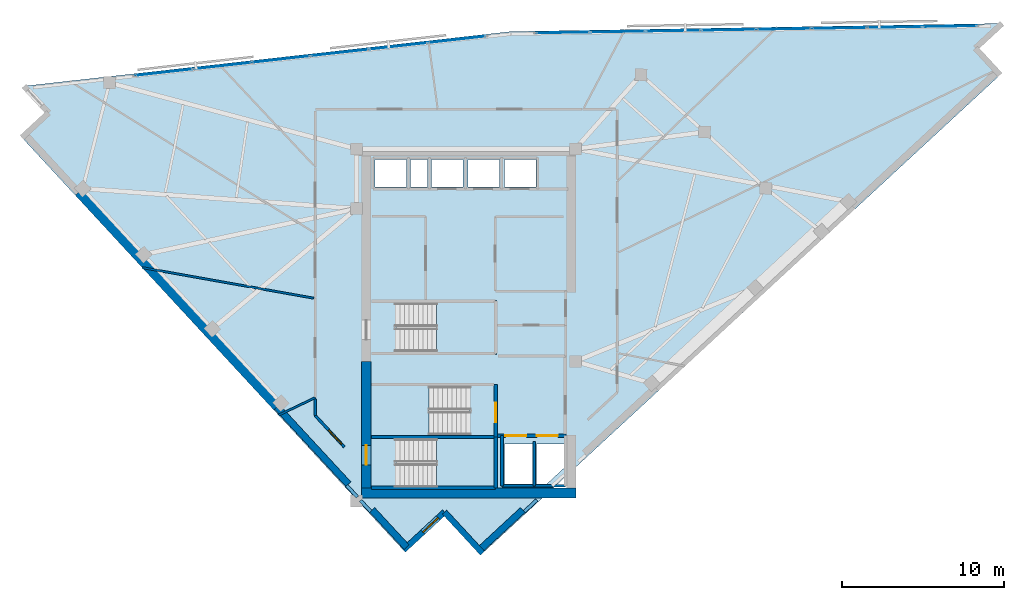
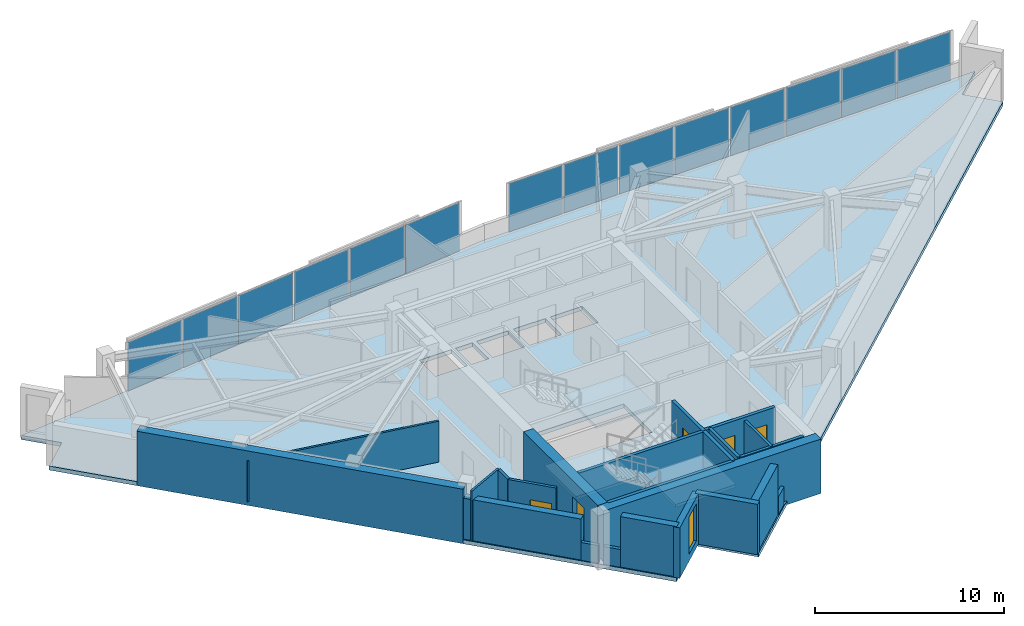
# One storey, part 7 of 11: 23 walls, 14 plates, 5 doors, 4 slabs, 1 window, 6 openings, 5 elements without a shape of their own.
"""IFC4 building model written with IfcOpenShell, lengths in metres."""

from ifc_helpers import new_model, si_unit, direction, frame, frame_2d, origin, origin_2d, place, context, subcontext, project, spatial, polyline, rectangle, outline, extrude, material, layer, layer_set, type_object, element, fill, aggregate, save


model = new_model("IFC4")

# Units and contexts
model_context = context("Model", 3, precision=1e-05, world=origin(), true_north=direction((0.0, 1.0)))
body_context = subcontext(model_context, "Body", "Model", "MODEL_VIEW")
ifc_project = project(units=[si_unit("LENGTHUNIT", "METRE"), si_unit("AREAUNIT", "SQUARE_METRE"), si_unit("VOLUMEUNIT", "CUBIC_METRE"), si_unit("PLANEANGLEUNIT", "RADIAN"), si_unit("MASSUNIT", "GRAM", prefix="KILO")], contexts=[model_context])

# Site, building, storey
site_placement = place(None, origin())
site = spatial("IfcSite", under=ifc_project, at=site_placement, CompositionType="ELEMENT")
building_placement = place(site_placement, origin())
building = spatial("IfcBuilding", under=site, at=building_placement, Name="Narakoshi Arena Tower", CompositionType="ELEMENT")
storey_placement = place(building_placement, frame((0.0, 0.0, 285.3798828125)))
storey = spatial("IfcBuildingStorey", under=building, at=storey_placement, Name="L78", CompositionType="ELEMENT", Elevation=285.3798828125)

# Curtain wall, plates
ifc_material_1 = material(Name="Anodised bronze aluminium 6063-T6", Category="aluminium")
curtain_wall_type = type_object("IfcCurtainWallType", Name="CW-HYP-HIGH", PredefinedType="NOTDEFINED", material=ifc_material_1)
curtain_wall_1_placement = place(storey_placement, origin())
curtain_wall_1 = element("IfcCurtainWall", 1, at=curtain_wall_1_placement, inside=storey, type_object=curtain_wall_type, Name="L78 Folded Hypotenuse Curtain Wall 1-1", PredefinedType="NOTDEFINED")
ifc_material_2 = material(Name="Bronze-tinted low-E laminated glass", Category="glass")
ifc_layer_1 = layer(ifc_material_2, 0.0439453125)
ifc_layer_set_1 = layer_set([ifc_layer_1], Name="Bronze-tinted low-E laminated glass")
plate_type = type_object("IfcPlateType", Name="PLT-GLZ-44", PredefinedType="CURTAIN_PANEL", material=ifc_layer_set_1)
plate_1_placement = place(storey_placement, frame((108.725341796875, 64.08984375, 0.065185546875), z_axis=(0.0, 0.0, 1.0), x_axis=(-0.999864804777, -0.016442997569, 0.0)))
plate_1 = element("IfcPlate", 2, at=plate_1_placement, type_object=plate_type, Name="CW-03 panel 1.1", PredefinedType="CURTAIN_PANEL", context=body_context, shape_type="SweptSolid", body=[
    extrude(rectangle(XDim=3.307861328125, YDim=0.0439453125, at=origin_2d()), origin(), (0.0, 0.0, 1.0), 3.1298828125),
])
plate_2_placement = place(storey_placement, frame((105.31787109375, 64.033935546875, 0.065185546875), z_axis=(0.0, 0.0, 1.0), x_axis=(-0.999864804777, -0.016442997569, 0.0)))
plate_2 = element("IfcPlate", 3, at=plate_2_placement, type_object=plate_type, Name="CW-03 panel 2.1", PredefinedType="CURTAIN_PANEL", context=body_context, shape_type="SweptSolid", body=[
    extrude(rectangle(XDim=3.34765625, YDim=0.0439453125, at=origin_2d()), origin(), (0.0, 0.0, 1.0), 3.1298828125),
])
plate_3_placement = place(storey_placement, frame((101.890625, 63.9775390625, 0.065185546875), z_axis=(0.0, 0.0, 1.0), x_axis=(-0.999864804777, -0.016442997569, 0.0)))
plate_3 = element("IfcPlate", 4, at=plate_3_placement, type_object=plate_type, Name="CW-03 panel 3.1", PredefinedType="CURTAIN_PANEL", context=body_context, shape_type="SweptSolid", body=[
    extrude(rectangle(XDim=3.34765625, YDim=0.0439453125, at=origin_2d()), origin(), (0.0, 0.0, 1.0), 3.1298828125),
])
plate_4_placement = place(storey_placement, frame((98.46337890625, 63.921142578125, 0.065185546875), z_axis=(0.0, 0.0, 1.0), x_axis=(-0.999864804777, -0.016442997569, 0.0)))
plate_4 = element("IfcPlate", 5, at=plate_4_placement, type_object=plate_type, Name="CW-03 panel 4.1", PredefinedType="CURTAIN_PANEL", context=body_context, shape_type="SweptSolid", body=[
    extrude(rectangle(XDim=3.34765625, YDim=0.0439453125, at=origin_2d()), origin(), (0.0, 0.0, 1.0), 3.1298828125),
])
plate_5_placement = place(storey_placement, frame((95.0361328125, 63.86474609375, 0.065185546875), z_axis=(0.0, 0.0, 1.0), x_axis=(-0.999864804777, -0.016442997569, 0.0)))
plate_5 = element("IfcPlate", 6, at=plate_5_placement, type_object=plate_type, Name="CW-03 panel 5.1", PredefinedType="CURTAIN_PANEL", context=body_context, shape_type="SweptSolid", body=[
    extrude(rectangle(XDim=3.34765625, YDim=0.0439453125, at=origin_2d()), origin(), (0.0, 0.0, 1.0), 3.1298828125),
])
plate_6_placement = place(storey_placement, frame((91.60888671875, 63.808349609375, 0.065185546875), z_axis=(0.0, 0.0, 1.0), x_axis=(-0.999864804777, -0.016442997569, 0.0)))
plate_6 = element("IfcPlate", 7, at=plate_6_placement, type_object=plate_type, Name="CW-03 panel 6.1", PredefinedType="CURTAIN_PANEL", context=body_context, shape_type="SweptSolid", body=[
    extrude(rectangle(XDim=3.34765625, YDim=0.0439453125, at=origin_2d()), origin(), (0.0, 0.0, 1.0), 3.1298828125),
])
plate_7_placement = place(storey_placement, frame((88.181640625, 63.751953125, 0.065185546875), z_axis=(0.0, 0.0, 1.0), x_axis=(-0.999864804777, -0.016442997569, 0.0)))
plate_7 = element("IfcPlate", 8, at=plate_7_placement, type_object=plate_type, Name="CW-03 panel 7.1", PredefinedType="CURTAIN_PANEL", context=body_context, shape_type="SweptSolid", body=[
    extrude(rectangle(XDim=3.34765625, YDim=0.0439453125, at=origin_2d()), origin(), (0.0, 0.0, 1.0), 3.1298828125),
])
plate_8_placement = place(storey_placement, frame((84.774169921875, 63.696044921875, 0.065185546875), z_axis=(0.0, 0.0, 1.0), x_axis=(-0.999864804777, -0.016442997569, 0.0)))
plate_8 = element("IfcPlate", 9, at=plate_8_placement, type_object=plate_type, Name="CW-03 panel 8.1", PredefinedType="CURTAIN_PANEL", context=body_context, shape_type="SweptSolid", body=[
    extrude(rectangle(XDim=3.307861328125, YDim=0.0439453125, at=origin_2d()), origin(), (0.0, 0.0, 1.0), 3.1298828125),
])
aggregate(curtain_wall_1, [plate_1, plate_2, plate_3, plate_4, plate_5, plate_6, plate_7, plate_8])

curtain_wall_2_placement = place(storey_placement, origin())
curtain_wall_2 = element("IfcCurtainWall", 10, at=curtain_wall_2_placement, inside=storey, type_object=curtain_wall_type, Name="L78 Folded Hypotenuse Curtain Wall 2-1", PredefinedType="NOTDEFINED")
plate_9_placement = place(storey_placement, frame((78.222900390625, 63.2705078125, 0.065185546875), z_axis=(0.0, 0.0, 1.0), x_axis=(-0.9937760415, -0.111396496086, 0.0)))
plate_9 = element("IfcPlate", 11, at=plate_9_placement, type_object=plate_type, Name="CW-03 panel 1.1", PredefinedType="CURTAIN_PANEL", context=body_context, shape_type="SweptSolid", body=[
    extrude(rectangle(XDim=3.540283203125, YDim=0.0439453125, at=origin_2d()), origin(), (0.0, 0.0, 1.0), 3.1298828125),
])
plate_10_placement = place(storey_placement, frame((74.605224609375, 62.864990234375, 0.065185546875), z_axis=(0.0, 0.0, 1.0), x_axis=(-0.9937760415, -0.111396496086, 0.0)))
plate_10 = element("IfcPlate", 12, at=plate_10_placement, type_object=plate_type, Name="CW-03 panel 2.1", PredefinedType="CURTAIN_PANEL", context=body_context, shape_type="SweptSolid", body=[
    extrude(rectangle(XDim=3.580322265625, YDim=0.0439453125, at=origin_2d()), origin(), (0.0, 0.0, 1.0), 3.1298828125),
])
plate_11_placement = place(storey_placement, frame((70.967529296875, 62.45703125, 0.065185546875), z_axis=(0.0, 0.0, 1.0), x_axis=(-0.9937760415, -0.111396496086, 0.0)))
plate_11 = element("IfcPlate", 13, at=plate_11_placement, type_object=plate_type, Name="CW-03 panel 3.1", PredefinedType="CURTAIN_PANEL", context=body_context, shape_type="SweptSolid", body=[
    extrude(rectangle(XDim=3.580322265625, YDim=0.0439453125, at=origin_2d()), origin(), (0.0, 0.0, 1.0), 3.1298828125),
])
plate_12_placement = place(storey_placement, frame((67.330078125, 62.04931640625, 0.065185546875), z_axis=(0.0, 0.0, 1.0), x_axis=(-0.9937760415, -0.111396496086, 0.0)))
plate_12 = element("IfcPlate", 14, at=plate_12_placement, type_object=plate_type, Name="CW-03 panel 4.1", PredefinedType="CURTAIN_PANEL", context=body_context, shape_type="SweptSolid", body=[
    extrude(rectangle(XDim=3.580322265625, YDim=0.0439453125, at=origin_2d()), origin(), (0.0, 0.0, 1.0), 3.1298828125),
])
plate_13_placement = place(storey_placement, frame((63.6923828125, 61.6416015625, 0.065185546875), z_axis=(0.0, 0.0, 1.0), x_axis=(-0.9937760415, -0.111396496086, 0.0)))
plate_13 = element("IfcPlate", 15, at=plate_13_placement, type_object=plate_type, Name="CW-03 panel 5.1", PredefinedType="CURTAIN_PANEL", context=body_context, shape_type="SweptSolid", body=[
    extrude(rectangle(XDim=3.580322265625, YDim=0.0439453125, at=origin_2d()), origin(), (0.0, 0.0, 1.0), 3.1298828125),
])
plate_14_placement = place(storey_placement, frame((60.07470703125, 61.236083984375, 0.065185546875), z_axis=(0.0, 0.0, 1.0), x_axis=(-0.9937760415, -0.111396496086, 0.0)))
plate_14 = element("IfcPlate", 16, at=plate_14_placement, type_object=plate_type, Name="CW-03 panel 6.1", PredefinedType="CURTAIN_PANEL", context=body_context, shape_type="SweptSolid", body=[
    extrude(rectangle(XDim=3.540283203125, YDim=0.0439453125, at=origin_2d()), origin(), (0.0, 0.0, 1.0), 3.1298828125),
])
aggregate(curtain_wall_2, [plate_9, plate_10, plate_11, plate_12, plate_13, plate_14])

# Stair, slab
ifc_material_3 = material(Name="Concrete C45/55", Category="concrete")
stair_type = type_object("IfcStairType", Name="STR-CORE-352", PredefinedType="TWO_STRAIGHT_RUN_STAIR", material=ifc_material_3)
stair_1_placement = place(storey_placement, origin())
stair_1 = element("IfcStair", 17, at=stair_1_placement, inside=storey, type_object=stair_type, Name="L78 Core Escape Stair ST1", PredefinedType="TWO_STRAIGHT_RUN_STAIR")
ifc_layer_2 = layer(ifc_material_3, 0.18994140625)
ifc_layer_set_2 = layer_set([ifc_layer_2], Name="Concrete C45/55")
slab_type_1 = type_object("IfcSlabType", Name="SLB-LND-190", PredefinedType="LANDING", material=ifc_layer_set_2)
slab_1_placement = place(storey_placement, frame((0.0, 0.0, 1.570068359375)))
slab_1 = element("IfcSlab", 18, at=slab_1_placement, type_object=slab_type_1, Name="ST1 landing 1", PredefinedType="LANDING", context=body_context, shape_type="SweptSolid", body=[
    extrude(outline(polyline([(76.965087890625, 35.3701171875), (80.679931640625, 35.3701171875), (80.679931640625, 38.72998046875), (76.965087890625, 38.72998046875), (76.965087890625, 35.3701171875)])), origin(), (0.0, 0.0, 1.0), 0.18994140625),
])
aggregate(stair_1, [slab_1])

stair_2_placement = place(storey_placement, origin())
stair_2 = element("IfcStair", 19, at=stair_2_placement, inside=storey, type_object=stair_type, Name="L78 Core Escape Stair ST2", PredefinedType="TWO_STRAIGHT_RUN_STAIR")
slab_2_placement = place(storey_placement, frame((0.0, 0.0, 1.570068359375)))
slab_2 = element("IfcSlab", 20, at=slab_2_placement, type_object=slab_type_1, Name="ST2 landing 1", PredefinedType="LANDING", context=body_context, shape_type="SweptSolid", body=[
    extrude(outline(polyline([(72.77001953125, 38.6201171875), (76.485107421875, 38.6201171875), (76.485107421875, 41.97998046875), (72.77001953125, 41.97998046875), (72.77001953125, 38.6201171875)])), origin(), (0.0, 0.0, 1.0), 0.18994140625),
])
aggregate(stair_2, [slab_2])

stair_3_placement = place(storey_placement, origin())
stair_3 = element("IfcStair", 21, at=stair_3_placement, inside=storey, type_object=stair_type, Name="L78 Core Escape Stair ST3", PredefinedType="TWO_STRAIGHT_RUN_STAIR")
slab_3_placement = place(storey_placement, frame((0.0, 0.0, 1.570068359375)))
slab_3 = element("IfcSlab", 22, at=slab_3_placement, type_object=slab_type_1, Name="ST3 landing 1", PredefinedType="LANDING", context=body_context, shape_type="SweptSolid", body=[
    extrude(outline(polyline([(76.965087890625, 43.77001953125), (80.679931640625, 43.77001953125), (80.679931640625, 47.1298828125), (76.965087890625, 47.1298828125), (76.965087890625, 43.77001953125)])), origin(), (0.0, 0.0, 1.0), 0.18994140625),
])
aggregate(stair_3, [slab_3])

# Slab
ifc_material_4 = material(Name="Concrete C50/60", Category="concrete")
ifc_layer_3 = layer(ifc_material_4, 0.260009765625)
ifc_layer_set_3 = layer_set([ifc_layer_3], Name="Concrete C50/60")
slab_type_2 = type_object("IfcSlabType", Name="SLB-SKY-260", PredefinedType="FLOOR", material=ifc_layer_set_3)
slab_4_placement = place(storey_placement, frame((0.0, 0.0, -0.259765625)))
element("IfcSlab", 23, at=slab_4_placement, inside=storey, type_object=slab_type_2, Name="L78 Structural Floor Slab", PredefinedType="FLOOR", context=body_context, shape_type="SweptSolid", body=[
    extrude(outline(polyline([(79.8056640625, 31.47216796875), (111.83154296875, 61.076416015625), (110.30078125, 62.732421875), (111.956787109375, 64.26318359375), (81.538818359375, 63.7626953125), (51.42333984375, 60.38720703125), (52.9541015625, 58.731201171875), (51.298095703125, 57.200439453125), (74.9033203125, 31.664794921875), (77.45068359375, 34.01953125), (79.8056640625, 31.47216796875)]), holes=[polyline([(80.5, 35.550048828125), (74.47998046875, 35.550048828125), (74.47998046875, 38.550048828125), (80.5, 38.550048828125), (80.5, 35.550048828125)]), polyline([(82.89990234375, 35.75), (81.14990234375, 35.75), (81.14990234375, 38.25), (82.89990234375, 38.25), (82.89990234375, 35.75)]), polyline([(84.89990234375, 36.794189453125), (83.7705078125, 35.75), (83.14990234375, 35.75), (83.14990234375, 38.25), (84.89990234375, 38.25), (84.89990234375, 36.794189453125)]), polyline([(72.949951171875, 38.800048828125), (72.949951171875, 41.800048828125), (78.969970703125, 41.800048828125), (78.969970703125, 38.800048828125), (72.949951171875, 38.800048828125)]), polyline([(74.47998046875, 43.949951171875), (74.47998046875, 46.949951171875), (80.5, 46.949951171875), (80.5, 43.949951171875), (74.47998046875, 43.949951171875)]), polyline([(75.10009765625, 54.14990234375), (73.14990234375, 54.14990234375), (73.14990234375, 55.85009765625), (75.10009765625, 55.85009765625), (75.10009765625, 54.14990234375)]), polyline([(76.39990234375, 54.14990234375), (75.35009765625, 54.14990234375), (75.35009765625, 55.85009765625), (76.39990234375, 55.85009765625), (76.39990234375, 54.14990234375)]), polyline([(78.60009765625, 54.14990234375), (76.64990234375, 54.14990234375), (76.64990234375, 55.85009765625), (78.60009765625, 55.85009765625), (78.60009765625, 54.14990234375)]), polyline([(78.89990234375, 54.14990234375), (78.89990234375, 55.85009765625), (80.85009765625, 55.85009765625), (80.85009765625, 54.14990234375), (78.89990234375, 54.14990234375)]), polyline([(81.14990234375, 54.14990234375), (81.14990234375, 55.85009765625), (83.10009765625, 55.85009765625), (83.10009765625, 54.14990234375), (81.14990234375, 54.14990234375)])]), origin(), (0.0, 0.0, 1.0), 0.259765625),
])

# Wall, opening, door
ifc_layer_4 = layer(ifc_material_4, 0.60009765625)
ifc_layer_set_4 = layer_set([ifc_layer_4], Name="Concrete C50/60")
wall_type_1 = type_object("IfcWallType", Name="WL-CORE-600", PredefinedType="SHEAR", material=ifc_layer_set_4)
wall_1_placement = place(storey_placement, frame((72.60009765625, 35.5, -0.259765625), z_axis=(0.0, 0.0, 1.0), x_axis=(0.0, 1.0, 0.0)))
wall_1 = element("IfcWall", 24, at=wall_1_placement, inside=storey, type_object=wall_type_1, Name="L78 Central Core Shear Wall CW-APX-W", PredefinedType="SHEAR", context=body_context, shape_type="SweptSolid", body=[
    extrude(rectangle(XDim=7.85009765625, YDim=0.60009765625, at=frame_2d((3.925048828125, 0.0))), origin(), (0.0, 0.0, 1.0), 3.519775390625),
])
opening_1_placement = place(wall_1_placement, frame((1.449951171875, 0.0, 0.260009765625)))
opening_1 = element("IfcOpeningElement", 25, at=opening_1_placement, cuts=wall_1, Name="Opening D-03", PredefinedType="OPENING", context=body_context, shape_type="SweptSolid", body=[
    extrude(rectangle(XDim=1.199951171875, YDim=2.199951171875, at=frame_2d((0.60009765625, 1.10009765625))), frame((0.0, 0.31005859375, 0.0), z_axis=(0.0, -1.0, 0.0), x_axis=(1.0, 0.0, 0.0)), (0.0, 0.0, 1.0), 0.6201171875),
])
ifc_material_5 = material(Name="Painted galvanized steel", Category="steel")
door_type_1 = type_object("IfcDoorType", Name="DR-STR-1200", OperationType="NOTDEFINED", PredefinedType="USERDEFINED", material=ifc_material_5)
door_1_placement = place(opening_1_placement, frame((1.199951171875, 0.0, 0.0), z_axis=(0.0, 0.0, 1.0), x_axis=(-1.0, 0.0, 0.0)))
door_1 = element("IfcDoor", 26, at=door_1_placement, inside=storey, type_object=door_type_1, Name="DR-L78-001", ObjectType="EXITDOOR", OperationType="SINGLE_SWING_LEFT", OverallHeight=2.199951171875, OverallWidth=1.199951171875, PredefinedType="USERDEFINED", context=body_context, shape_type="SweptSolid", body=[
    extrude(rectangle(XDim=1.199951171875, YDim=2.199951171875, at=frame_2d((0.60009765625, 1.10009765625))), frame((0.0, 0.02490234375, 0.0), z_axis=(0.0, -1.0, 0.0), x_axis=(1.0, 0.0, 0.0)), (0.0, 0.0, 1.0), 0.050048828125),
])
fill(opening_1, door_1)

# Wall
wall_2_placement = place(storey_placement, frame((72.300048828125, 35.199951171875, -0.259765625), z_axis=(0.0, 0.0, 1.0), x_axis=(1.0, 0.0, 0.0)))
element("IfcWall", 27, at=wall_2_placement, inside=storey, type_object=wall_type_1, Name="L78 Central Core Shear Wall CW-APX-S", PredefinedType="SHEAR", context=body_context, shape_type="SweptSolid", body=[
    extrude(rectangle(XDim=13.300048828125, YDim=0.60009765625, at=frame_2d((6.64990234375, 0.0))), origin(), (0.0, 0.0, 1.0), 3.519775390625),
])

# Wall, opening, door
ifc_material_6 = material(Name="Gypsum plasterboard fire-rated partition")
ifc_layer_5 = layer(ifc_material_6, 0.1650390625)
ifc_layer_set_5 = layer_set([ifc_layer_5], Name="Gypsum plasterboard fire-rated partition")
wall_type_2 = type_object("IfcWallType", Name="WL-CORR-165", PredefinedType="PARTITIONING", material=ifc_layer_set_5)
wall_3_placement = place(storey_placement, frame((69.449951171875, 39.99462890625, 0.0), z_axis=(0.0, 0.0, 1.0), x_axis=(0.678849688613, -0.734277263893, 0.0)))
wall_3 = element("IfcWall", 28, at=wall_3_placement, inside=storey, type_object=wall_type_2, Name="L78 Corridor Partition 02-1", PredefinedType="PARTITIONING", context=body_context, shape_type="SweptSolid", body=[
    extrude(rectangle(XDim=2.651611328125, YDim=0.1650390625, at=frame_2d((1.32568359375, 0.0))), origin(), (0.0, 0.0, 1.0), 3.260009765625),
])
opening_2_placement = place(wall_3_placement, frame((1.209716796875, 0.0, 0.0)))
opening_2 = element("IfcOpeningElement", 29, at=opening_2_placement, cuts=wall_3, Name="Opening D-03", PredefinedType="OPENING", context=body_context, shape_type="SweptSolid", body=[
    extrude(rectangle(XDim=1.199951171875, YDim=2.199951171875, at=frame_2d((0.60009765625, 1.10009765625))), frame((0.0, 0.092529296875, 0.0), z_axis=(0.0, -1.0, 0.0), x_axis=(1.0, 0.0, 0.0)), (0.0, 0.0, 1.0), 0.18505859375),
])
door_2_placement = place(opening_2_placement, frame((1.199951171875, 0.0, 0.0), z_axis=(0.0, 0.0, 1.0), x_axis=(-1.0, 0.0, 0.0)))
door_2 = element("IfcDoor", 30, at=door_2_placement, inside=storey, type_object=door_type_1, Name="DR-L78-015", ObjectType="EXITDOOR", OperationType="SINGLE_SWING_RIGHT", OverallHeight=2.199951171875, OverallWidth=1.199951171875, PredefinedType="USERDEFINED", context=body_context, shape_type="SweptSolid", body=[
    extrude(rectangle(XDim=1.199951171875, YDim=2.199951171875, at=frame_2d((0.60009765625, 1.10009765625))), frame((0.0, 0.02490234375, 0.0), z_axis=(0.0, -1.0, 0.0), x_axis=(1.0, 0.0, 0.0)), (0.0, 0.0, 1.0), 0.050048828125),
])
fill(opening_2, door_2)

# Walls
wall_4_placement = place(storey_placement, frame((69.449951171875, 41.020751953125, 0.0), z_axis=(0.0, 0.0, 1.0), x_axis=(0.0, -1.0, 0.0)))
element("IfcWall", 31, at=wall_4_placement, inside=storey, type_object=wall_type_2, Name="L78 Corridor Partition 02-2", PredefinedType="PARTITIONING", context=body_context, shape_type="SweptSolid", body=[
    extrude(rectangle(XDim=1.026123046875, YDim=0.1650390625, at=frame_2d((0.51318359375, 0.0))), origin(), (0.0, 0.0, 1.0), 3.260009765625),
])
ifc_layer_6 = layer(ifc_material_4, 0.550048828125)
ifc_layer_set_6 = layer_set([ifc_layer_6], Name="Concrete C50/60")
wall_type_3 = type_object("IfcWallType", Name="WL-LEG-550", PredefinedType="SHEAR", material=ifc_layer_set_6)
wall_5_placement = place(storey_placement, frame((54.804931640625, 53.81201171875, -0.259765625), z_axis=(0.0, 0.0, 1.0), x_axis=(0.678803115619, -0.734320318543, 0.0)))
element("IfcWall", 32, at=wall_5_placement, inside=storey, type_object=wall_type_3, Name="L78 Architectural Concrete Structural Wall LEGB-2", PredefinedType="SHEAR", context=body_context, shape_type="SweptSolid", body=[
    extrude(rectangle(XDim=18.082763671875, YDim=0.550048828125, at=frame_2d((9.04150390625, 0.0))), origin(), (0.0, 0.0, 1.0), 3.519775390625),
])
ifc_material_7 = material(Name="Precast concrete C45/55", Category="concrete")
ifc_layer_7 = layer(ifc_material_7, 0.25)
ifc_layer_set_7 = layer_set([ifc_layer_7], Name="Precast concrete C45/55")
wall_type_4 = type_object("IfcWallType", Name="WL-PARA-250", PredefinedType="PARAPET", material=ifc_layer_set_7)
wall_6_placement = place(storey_placement, frame((72.881103515625, 34.058349609375, 0.0), z_axis=(0.0, 0.0, 1.0), x_axis=(-0.678651758246, 0.734460203843, 0.0)))
element("IfcWall", 33, at=wall_6_placement, inside=storey, type_object=wall_type_4, Name="L78 Crown Sill Upstand Parapet 01", PredefinedType="PARAPET", context=body_context, shape_type="SweptSolid", body=[
    extrude(rectangle(XDim=0.927490234375, YDim=0.199951171875, at=frame_2d((0.4638671875, 0.0))), origin(), (0.0, 0.0, 1.0), 1.150146484375),
])
wall_7_placement = place(storey_placement, frame((72.05908203125, 34.94775390625, 0.0), z_axis=(0.0, 0.0, 1.0), x_axis=(-0.678740051818, 0.734378609478, 0.0)))
element("IfcWall", 34, at=wall_7_placement, inside=storey, type_object=wall_type_4, Name="L78 Crown Sill Upstand Parapet 02", PredefinedType="PARAPET", context=body_context, shape_type="SweptSolid", body=[
    extrude(rectangle(XDim=0.9697265625, YDim=0.199951171875, at=frame_2d((0.48486328125, 0.0))), origin(), (0.0, 0.0, 1.0), 1.150146484375),
])
wall_8_placement = place(storey_placement, frame((83.15625, 34.760009765625, 0.0), z_axis=(0.0, 0.0, 1.0), x_axis=(-0.734364355784, -0.678755473609, 0.0)))
element("IfcWall", 35, at=wall_8_placement, inside=storey, type_object=wall_type_4, Name="L78 Crown Sill Upstand Parapet 05", PredefinedType="PARAPET", context=body_context, shape_type="SweptSolid", body=[
    extrude(rectangle(XDim=1.044921875, YDim=0.199951171875, at=frame_2d((0.5224609375, 0.0))), origin(), (0.0, 0.0, 1.0), 1.150146484375),
])
ifc_layer_8 = layer(ifc_material_6, 0.125)
ifc_layer_set_8 = layer_set([ifc_layer_8], Name="Gypsum plasterboard fire-rated partition")
wall_type_5 = type_object("IfcWallType", Name="WL-PART-125", PredefinedType="PARTITIONING", material=ifc_layer_set_8)
wall_9_placement = place(storey_placement, frame((69.449951171875, 41.103515625, 0.0), z_axis=(0.0, 0.0, 1.0), x_axis=(-0.902393561746, -0.430912821483, 0.0)))
element("IfcWall", 36, at=wall_9_placement, inside=storey, type_object=wall_type_5, Name="L78 Inter-Room Partition 01-02", PredefinedType="PARTITIONING", context=body_context, shape_type="SweptSolid", body=[
    extrude(rectangle(XDim=2.515625, YDim=0.125, at=frame_2d((1.2578125, 0.0))), origin(), (0.0, 0.0, 1.0), 3.260009765625),
])
wall_10_placement = place(storey_placement, frame((58.739501953125, 49.150390625, 0.0), z_axis=(0.0, 0.0, 1.0), x_axis=(0.98450905073, -0.175333764663, 0.0)))
element("IfcWall", 37, at=wall_10_placement, inside=storey, type_object=wall_type_5, Name="L78 Inter-Room Partition 01-09", PredefinedType="PARTITIONING", context=body_context, shape_type="SweptSolid", body=[
    extrude(rectangle(XDim=10.782958984375, YDim=0.125, at=frame_2d((5.3916015625, 0.0))), origin(), (0.0, 0.0, 1.0), 2.64501953125),
])
ifc_layer_9 = layer(ifc_material_7, 0.419921875)
ifc_layer_set_9 = layer_set([ifc_layer_9], Name="Precast concrete C45/55")
wall_type_6 = type_object("IfcWallType", Name="WL-POD-420", PredefinedType="SOLIDWALL", material=ifc_layer_set_9)
wall_11_placement = place(storey_placement, frame((79.618896484375, 31.674072265625, 0.0), z_axis=(0.0, 0.0, 1.0), x_axis=(0.734338793707, 0.678783128884, 0.0)))
element("IfcWall", 38, at=wall_11_placement, inside=storey, type_object=wall_type_6, Name="L78 Architectural Concrete Facade Wall LEGA-1", PredefinedType="SOLIDWALL", context=body_context, shape_type="SweptSolid", body=[
    extrude(rectangle(XDim=3.6474609375, YDim=0.419921875, at=frame_2d((1.82373046875, 0.0))), origin(), (0.0, 0.0, 1.0), 3.260009765625),
])
wall_12_placement = place(storey_placement, frame((67.07958984375, 40.533447265625, 0.0), z_axis=(0.0, 0.0, 1.0), x_axis=(0.678800006437, -0.734323192648, 0.0)))
element("IfcWall", 39, at=wall_12_placement, inside=storey, type_object=wall_type_6, Name="L78 Architectural Concrete Facade Wall LEGB-3", PredefinedType="SOLIDWALL", context=body_context, shape_type="SweptSolid", body=[
    extrude(rectangle(XDim=6.51220703125, YDim=0.419921875, at=frame_2d((3.256103515625, 0.0))), origin(), (0.0, 0.0, 1.0), 2.64501953125),
])
wall_13_placement = place(storey_placement, frame((72.980224609375, 34.14990234375, 0.0), z_axis=(0.0, 0.0, 1.0), x_axis=(0.67879500555, -0.73432781538, 0.0)))
element("IfcWall", 40, at=wall_13_placement, inside=storey, type_object=wall_type_6, Name="L78 Architectural Concrete Facade Wall LEGB-4", PredefinedType="SOLIDWALL", context=body_context, shape_type="SweptSolid", body=[
    extrude(rectangle(XDim=3.130126953125, YDim=0.419921875, at=frame_2d((1.56494140625, 0.0))), origin(), (0.0, 0.0, 1.0), 3.260009765625),
])

# Wall, opening, window
wall_14_placement = place(storey_placement, frame((74.9033203125, 31.664794921875, 0.0), z_axis=(0.0, 0.0, 1.0), x_axis=(0.734325680362, 0.678797315228, 0.0)))
wall_14 = element("IfcWall", 41, at=wall_14_placement, inside=storey, type_object=wall_type_6, Name="L78 Re-Entrant Corner Notch Wall NTA-1", PredefinedType="SOLIDWALL", context=body_context, shape_type="SweptSolid", body=[
    extrude(rectangle(XDim=3.468994140625, YDim=0.360107421875, at=frame_2d((1.734375, 0.0))), origin(), (0.0, 0.0, 1.0), 3.260009765625),
])
opening_3_placement = place(wall_14_placement, frame((1.64306640625, 0.0, 0.449951171875)))
opening_3 = element("IfcOpeningElement", 42, at=opening_3_placement, cuts=wall_14, Name="Opening WN-06", PredefinedType="OPENING", context=body_context, shape_type="SweptSolid", body=[
    extrude(rectangle(XDim=1.300048828125, YDim=2.39990234375, at=frame_2d((0.64990234375, 1.199951171875))), frame((0.0, 0.18994140625, 0.0), z_axis=(0.0, -1.0, 0.0), x_axis=(1.0, 0.0, 0.0)), (0.0, 0.0, 1.0), 0.380126953125),
])
window_type = type_object("IfcWindowType", Name="WIN-NTC-16x24", PartitioningType="SINGLE_PANEL", PredefinedType="WINDOW", material=ifc_material_2)
window_placement = place(opening_3_placement, origin())
window = element("IfcWindow", 43, at=window_placement, inside=storey, type_object=window_type, Name="L78 Corner Notch Window NTA", OverallHeight=2.39990234375, OverallWidth=1.300048828125, PartitioningType="SINGLE_PANEL", PredefinedType="WINDOW", context=body_context, shape_type="SweptSolid", body=[
    extrude(rectangle(XDim=1.300048828125, YDim=2.39990234375, at=frame_2d((0.64990234375, 1.199951171875))), frame((0.0, 0.030029296875, 0.0), z_axis=(0.0, -1.0, 0.0), x_axis=(1.0, 0.0, 0.0)), (0.0, 0.0, 1.0), 0.06005859375),
])
fill(opening_3, window)

# Walls
wall_15_placement = place(storey_placement, frame((77.45068359375, 34.01953125, 0.0), z_axis=(0.0, 0.0, 1.0), x_axis=(0.678835262818, -0.734290600481, 0.0)))
element("IfcWall", 44, at=wall_15_placement, inside=storey, type_object=wall_type_6, Name="L78 Re-Entrant Corner Notch Wall NTA-2", PredefinedType="SOLIDWALL", context=body_context, shape_type="SweptSolid", body=[
    extrude(rectangle(XDim=3.46923828125, YDim=0.360107421875, at=frame_2d((1.734619140625, 0.0))), origin(), (0.0, 0.0, 1.0), 3.260009765625),
])
ifc_material_8 = material(Name="Concrete C40/50", Category="concrete")
ifc_layer_10 = layer(ifc_material_8, 0.280029296875)
ifc_layer_set_10 = layer_set([ifc_layer_10], Name="Concrete C40/50")
wall_type_7 = type_object("IfcWallType", Name="WL-RISER-280", PredefinedType="PLUMBINGWALL", material=ifc_layer_set_10)
wall_16_placement = place(storey_placement, frame((83.0, 35.64990234375, 0.0), z_axis=(0.0, 0.0, 1.0), x_axis=(0.0, 1.0, 0.0)))
element("IfcWall", 45, at=wall_16_placement, inside=storey, type_object=wall_type_7, Name="L78 Core Wall FF-DIV", PredefinedType="PLUMBINGWALL", context=body_context, shape_type="SweptSolid", body=[
    extrude(rectangle(XDim=2.75, YDim=0.159912109375, at=frame_2d((1.375, 0.0))), origin(), (0.0, 0.0, 1.0), 3.260009765625),
])
ifc_layer_11 = layer(ifc_material_4, 0.35009765625)
ifc_layer_set_11 = layer_set([ifc_layer_11], Name="Concrete C50/60")
wall_type_8 = type_object("IfcWallType", Name="WL-SHAFT-350", PredefinedType="SOLIDWALL", material=ifc_layer_set_11)
for number, where, z_axis, x_axis, name in (
    (46, (72.919921875, 35.52001953125, -0.259765625), (0.0, 0.0, 1.0), (1.0, 0.0, 0.0), "L78 Core Wall ST1-S"),
    (47, (72.919921875, 38.675048828125, -0.259765625), (0.0, 0.0, 1.0), (1.0, 0.0, 0.0), "L78 Core Wall ST12-DIV"),
):
    element("IfcWall", number, at=place(storey_placement, frame(where, z_axis=z_axis, x_axis=x_axis)), inside=storey, type_object=wall_type_8, Name=name, PredefinedType="SOLIDWALL", context=body_context, shape_type="SweptSolid", body=[
        extrude(rectangle(XDim=7.7001953125, YDim=0.199951171875, at=frame_2d((3.85009765625, 0.0))), origin(), (0.0, 0.0, 1.0), 3.519775390625),
    ])
wall_17_placement = place(storey_placement, frame((80.6201171875, 35.52001953125, -0.259765625), z_axis=(0.0, 0.0, 1.0), x_axis=(0.0, 1.0, 0.0)))
element("IfcWall", 48, at=wall_17_placement, inside=storey, type_object=wall_type_8, Name="L78 Core Wall ST1-E", PredefinedType="SOLIDWALL", context=body_context, shape_type="SweptSolid", body=[
    extrude(rectangle(XDim=3.155029296875, YDim=0.199951171875, at=frame_2d((1.57763671875, 0.0))), origin(), (0.0, 0.0, 1.0), 3.519775390625),
])

# Wall, opening, door
wall_18_placement = place(storey_placement, frame((80.6201171875, 38.675048828125, -0.259765625), z_axis=(0.0, 0.0, 1.0), x_axis=(0.0, 1.0, 0.0)))
wall_18 = element("IfcWall", 49, at=wall_18_placement, inside=storey, type_object=wall_type_8, Name="L78 Core Wall ST2-E", PredefinedType="SOLIDWALL", context=body_context, shape_type="SweptSolid", body=[
    extrude(rectangle(XDim=3.244873046875, YDim=0.199951171875, at=frame_2d((1.62255859375, 0.0))), origin(), (0.0, 0.0, 1.0), 3.519775390625),
])
opening_4_placement = place(wall_18_placement, frame((0.89990234375, 0.0, 0.260009765625)))
opening_4 = element("IfcOpeningElement", 50, at=opening_4_placement, cuts=wall_18, Name="Opening D-03", PredefinedType="OPENING", context=body_context, shape_type="SweptSolid", body=[
    extrude(rectangle(XDim=1.199951171875, YDim=2.199951171875, at=frame_2d((0.60009765625, 1.10009765625))), frame((0.0, 0.10986328125, 0.0), z_axis=(0.0, -1.0, 0.0), x_axis=(1.0, 0.0, 0.0)), (0.0, 0.0, 1.0), 0.219970703125),
])
door_3_placement = place(opening_4_placement, origin())
door_3 = element("IfcDoor", 51, at=door_3_placement, inside=storey, type_object=door_type_1, Name="DR-L78-002", ObjectType="EXITDOOR", OperationType="SINGLE_SWING_RIGHT", OverallHeight=2.199951171875, OverallWidth=1.199951171875, PredefinedType="USERDEFINED", context=body_context, shape_type="SweptSolid", body=[
    extrude(rectangle(XDim=1.199951171875, YDim=2.199951171875, at=frame_2d((0.60009765625, 1.10009765625))), frame((0.0, 0.02490234375, 0.0), z_axis=(0.0, -1.0, 0.0), x_axis=(1.0, 0.0, 0.0)), (0.0, 0.0, 1.0), 0.050048828125),
])
fill(opening_4, door_3)

# Wall, openings, doors
wall_19_placement = place(storey_placement, frame((80.719970703125, 38.75, 0.0), z_axis=(0.0, 0.0, 1.0), x_axis=(1.0, 0.0, 0.0)))
wall_19 = element("IfcWall", 52, at=wall_19_placement, inside=storey, type_object=wall_type_8, Name="L78 Core Wall FF-N", PredefinedType="SOLIDWALL", context=body_context, shape_type="SweptSolid", body=[
    extrude(rectangle(XDim=4.260009765625, YDim=0.199951171875, at=frame_2d((2.1298828125, 0.0))), origin(), (0.0, 0.0, 1.0), 3.260009765625),
])
opening_5_placement = place(wall_19_placement, frame((0.5, 0.0, 0.0)))
opening_5 = element("IfcOpeningElement", 53, at=opening_5_placement, cuts=wall_19, Name="Opening LD-02", PredefinedType="OPENING", context=body_context, shape_type="SweptSolid", body=[
    extrude(rectangle(XDim=1.300048828125, YDim=2.300048828125, at=frame_2d((0.64990234375, 1.14990234375))), frame((0.0, 0.10986328125, 0.0), z_axis=(0.0, -1.0, 0.0), x_axis=(1.0, 0.0, 0.0)), (0.0, 0.0, 1.0), 0.219970703125),
])
opening_6_placement = place(wall_19_placement, frame((2.449951171875, 0.0, 0.0)))
opening_6 = element("IfcOpeningElement", 54, at=opening_6_placement, cuts=wall_19, Name="Opening LD-02", PredefinedType="OPENING", context=body_context, shape_type="SweptSolid", body=[
    extrude(rectangle(XDim=1.300048828125, YDim=2.300048828125, at=frame_2d((0.64990234375, 1.14990234375))), frame((0.0, 0.10986328125, 0.0), z_axis=(0.0, -1.0, 0.0), x_axis=(1.0, 0.0, 0.0)), (0.0, 0.0, 1.0), 0.219970703125),
])
ifc_material_9 = material(Name="Brushed bronze stainless steel", Category="steel")
door_type_2 = type_object("IfcDoorType", Name="DR-LFT-1300", OperationType="DOUBLE_DOOR_SLIDING", PredefinedType="DOOR", material=ifc_material_9)
door_4_placement = place(opening_5_placement, origin())
door_4 = element("IfcDoor", 55, at=door_4_placement, inside=storey, type_object=door_type_2, Name="DR-L78-003", OperationType="DOUBLE_DOOR_SLIDING", OverallHeight=2.300048828125, OverallWidth=1.300048828125, PredefinedType="DOOR", context=body_context, shape_type="SweptSolid", body=[
    extrude(rectangle(XDim=1.300048828125, YDim=2.300048828125, at=frame_2d((0.64990234375, 1.14990234375))), frame((0.0, 0.02490234375, 0.0), z_axis=(0.0, -1.0, 0.0), x_axis=(1.0, 0.0, 0.0)), (0.0, 0.0, 1.0), 0.050048828125),
])
fill(opening_5, door_4)
door_5_placement = place(opening_6_placement, origin())
door_5 = element("IfcDoor", 56, at=door_5_placement, inside=storey, type_object=door_type_2, Name="DR-L78-004", OperationType="DOUBLE_DOOR_SLIDING", OverallHeight=2.300048828125, OverallWidth=1.300048828125, PredefinedType="DOOR", context=body_context, shape_type="SweptSolid", body=[
    extrude(rectangle(XDim=1.300048828125, YDim=2.300048828125, at=frame_2d((0.64990234375, 1.14990234375))), frame((0.0, 0.02490234375, 0.0), z_axis=(0.0, -1.0, 0.0), x_axis=(1.0, 0.0, 0.0)), (0.0, 0.0, 1.0), 0.050048828125),
])
fill(opening_6, door_5)

# Walls
wall_20_placement = place(storey_placement, frame((81.02001953125, 35.64990234375, 0.0), z_axis=(0.0, 0.0, 1.0), x_axis=(0.0, 1.0, 0.0)))
element("IfcWall", 57, at=wall_20_placement, inside=storey, type_object=wall_type_8, Name="L78 Core Wall FF-W", PredefinedType="SOLIDWALL", context=body_context, shape_type="SweptSolid", body=[
    extrude(rectangle(XDim=3.10009765625, YDim=0.179931640625, at=frame_2d((1.550048828125, 0.0))), origin(), (0.0, 0.0, 1.0), 3.260009765625),
])
wall_21_placement = place(storey_placement, frame((81.02001953125, 35.64990234375, 0.0), z_axis=(0.0, 0.0, 1.0), x_axis=(1.0, 0.0, 0.0)))
element("IfcWall", 58, at=wall_21_placement, inside=storey, type_object=wall_type_8, Name="L78 Core Wall FF-S", PredefinedType="SOLIDWALL", context=body_context, shape_type="SweptSolid", body=[
    extrude(rectangle(XDim=3.929931640625, YDim=0.179931640625, at=frame_2d((1.96484375, 0.0))), origin(), (0.0, 0.0, 1.0), 3.260009765625),
])

save(model, "model.ifc")
